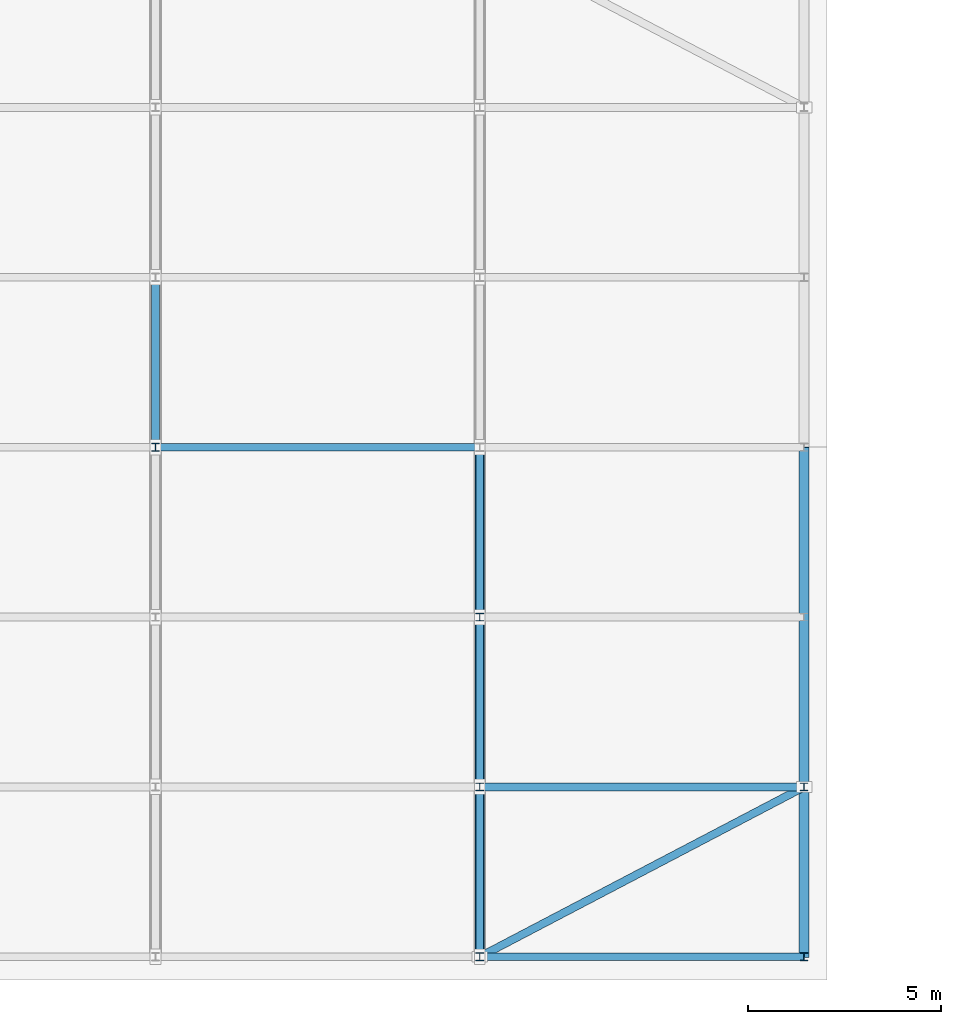
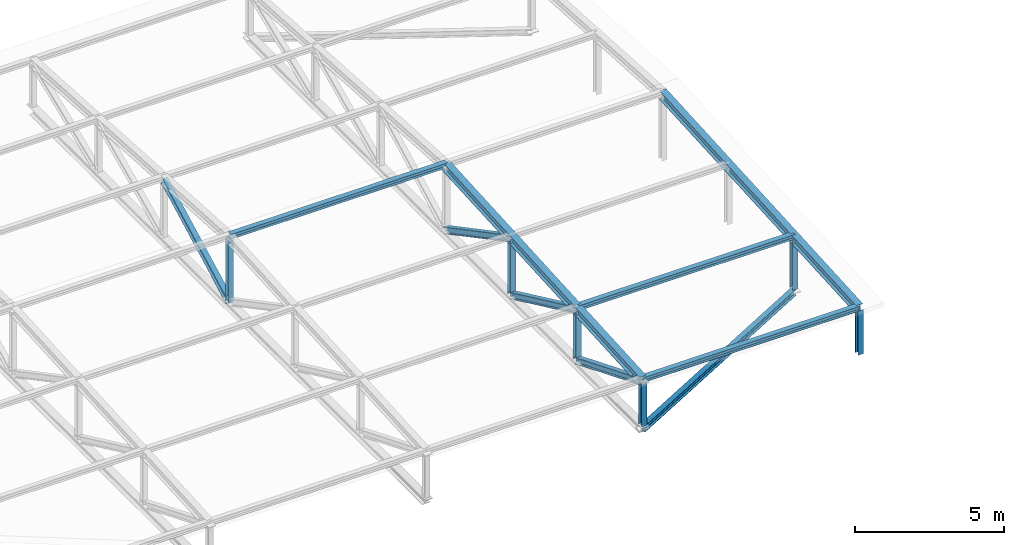
# One storey, part 16 of 49: 16 members.
"""IFC4 building model written with IfcOpenShell, lengths in metres."""

from ifc_helpers import new_model, si_unit, direction, frame, origin, origin_2d, place, context, subcontext, project, spatial, i_section, extrude, material, material_profile, profile_set, type_object, element, save


model = new_model("IFC4")

# Units and contexts
model_context = context("Model", 3, precision=1e-05, world=origin(), true_north=direction((0.0, 1.0)))
body_context = subcontext(model_context, "Body", "Model", "MODEL_VIEW")
ifc_project = project(units=[si_unit("LENGTHUNIT", "METRE"), si_unit("AREAUNIT", "SQUARE_METRE"), si_unit("VOLUMEUNIT", "CUBIC_METRE"), si_unit("PLANEANGLEUNIT", "RADIAN"), si_unit("MASSUNIT", "GRAM", prefix="KILO")], contexts=[model_context])

# Site, building, storey
site_placement = place(None, origin())
site = spatial("IfcSite", under=ifc_project, at=site_placement, CompositionType="ELEMENT")
building_placement = place(site_placement, origin())
building = spatial("IfcBuilding", under=site, at=building_placement, Name="Kemercrest Conservatory and Botanical Centre", CompositionType="ELEMENT")
storey_placement = place(building_placement, frame((0.0, 0.0, 13.199951171875)))
storey = spatial("IfcBuildingStorey", under=building, at=storey_placement, Name="L03", CompositionType="ELEMENT", Elevation=13.199951171875)

# Members
ifc_material = material(Name="Steel CSA G40.21 350W", Category="steel")
ifc_material_profile_1 = material_profile(ifc_material, i_section(OverallWidth=0.202880859375, OverallDepth=0.251953125, WebThickness=0.008056640625, FlangeThickness=0.013427734375, FilletRadius=0.010986328125, at=origin_2d()), Name="W250X58")
ifc_profile_set_1 = profile_set([ifc_material_profile_1], Name="Steel CSA G40.21 350W")
member_type_1 = type_object("IfcMemberType", Name="BR-LAT250", PredefinedType="BRACE", material=ifc_profile_set_1)
member_1_placement = place(storey_placement, frame((92.0, 16.800048828125, -0.14990234375), z_axis=(0.885833551011, 0.464003146437, 0.0), x_axis=(-0.464003146437, 0.885833551011, 0.0)))
element("IfcMember", 1, at=member_1_placement, inside=storey, type_object=member_type_1, Name="Roof diaphragm corner wind brace BR-LAT250", PredefinedType="BRACE", context=body_context, shape_type="SweptSolid", body=[
    extrude(i_section(OverallWidth=0.202880859375, OverallDepth=0.251953125, WebThickness=0.008056640625, FlangeThickness=0.013427734375, FilletRadius=0.010986328125, at=origin_2d()), origin(), (0.0, 0.0, 1.0), 9.482421875),
])
ifc_material_profile_2 = material_profile(ifc_material, i_section(OverallWidth=0.202880859375, OverallDepth=0.202880859375, WebThickness=0.007080078125, FlangeThickness=0.010986328125, FilletRadius=0.010009765625, at=origin_2d()), Name="W200X46")
ifc_profile_set_2 = profile_set([ifc_material_profile_2], Name="Steel CSA G40.21 350W")
member_type_2 = type_object("IfcMemberType", Name="PR-W200", PredefinedType="PURLIN", material=ifc_profile_set_2)
for number, where, z_axis, x_axis, name in (
    (2, (92.0, 16.800048828125, 1.880126953125), (1.0, 0.0, 0.0), (0.0, 1.0, 0.0), "Auditorium roof purlin P0"),
    (3, (92.0, 21.199951171875, 2.146728515625), (1.0, 0.0, 0.0), (0.0, 1.0, 0.0), "Auditorium roof purlin P1"),
    (4, (83.60009765625, 30.0, 2.679931640625), (1.0, 0.0, 0.0), (0.0, 1.0, 0.0), "Auditorium roof purlin P3"),
):
    element("IfcMember", number, at=place(storey_placement, frame(where, z_axis=z_axis, x_axis=x_axis)), inside=storey, type_object=member_type_2, Name=name, PredefinedType="PURLIN", context=body_context, shape_type="SweptSolid", body=[
        extrude(i_section(OverallWidth=0.202880859375, OverallDepth=0.202880859375, WebThickness=0.007080078125, FlangeThickness=0.010986328125, FilletRadius=0.010009765625, at=origin_2d()), origin(), (0.0, 0.0, 1.0), 8.39990234375),
    ])
ifc_material_profile_3 = material_profile(ifc_material, i_section(OverallWidth=0.257080078125, OverallDepth=0.363037109375, WebThickness=0.012939453125, FlangeThickness=0.021728515625, FilletRadius=0.01611328125, at=origin_2d()), Name="W360X122")
ifc_profile_set_3 = profile_set([ifc_material_profile_3], Name="Steel CSA G40.21 350W")
member_type_3 = type_object("IfcMemberType", Name="TR-TC360", PredefinedType="CHORD", material=ifc_profile_set_3)
for number, where, z_axis, x_axis, name in (
    (5, (92.0, 16.800048828125, 1.800048828125), (0.0, 0.998168260152, 0.060498962186), (-1.0, 0.0, 0.0), "Auditorium Roof Truss South Top Chord 11"),
    (6, (100.39990234375, 16.800048828125, 1.800048828125), (0.0, 0.998168260152, 0.060498962186), (-1.0, 0.0, 0.0), "Auditorium gable south rafter 12"),
):
    element("IfcMember", number, at=place(storey_placement, frame(where, z_axis=z_axis, x_axis=x_axis)), inside=storey, type_object=member_type_3, Name=name, PredefinedType="CHORD", context=body_context, shape_type="SweptSolid", body=[
        extrude(i_section(OverallWidth=0.257080078125, OverallDepth=0.363037109375, WebThickness=0.012939453125, FlangeThickness=0.021728515625, FilletRadius=0.01611328125, at=origin_2d()), origin(), (0.0, 0.0, 1.0), 13.22412109375),
    ])
ifc_material_profile_4 = material_profile(ifc_material, i_section(OverallWidth=0.202880859375, OverallDepth=0.202880859375, WebThickness=0.007080078125, FlangeThickness=0.010986328125, FilletRadius=0.010009765625, at=origin_2d()), Name="W200X46")
ifc_profile_set_4 = profile_set([ifc_material_profile_4], Name="Steel CSA G40.21 350W")
member_type_4 = type_object("IfcMemberType", Name="TR-VRT200", PredefinedType="BRACE", material=ifc_profile_set_4)
member_2_placement = place(storey_placement, frame((83.60009765625, 30.0, -0.014892578125), z_axis=(0.0, 0.0, 1.0), x_axis=(1.0, 0.0, 0.0)))
element("IfcMember", 7, at=member_2_placement, inside=storey, type_object=member_type_4, Name="Auditorium Roof Truss Vertical Strut 10-V3", PredefinedType="BRACE", context=body_context, shape_type="SweptSolid", body=[
    extrude(i_section(OverallWidth=0.202880859375, OverallDepth=0.202880859375, WebThickness=0.007080078125, FlangeThickness=0.010986328125, FilletRadius=0.010009765625, at=origin_2d()), origin(), (0.0, 0.0, 1.0), 2.614990234375),
])
member_3_placement = place(storey_placement, frame((92.0, 16.800048828125, -0.014892578125), z_axis=(0.0, 0.0, 1.0), x_axis=(1.0, 0.0, 0.0)))
element("IfcMember", 8, at=member_3_placement, inside=storey, type_object=member_type_4, Name="Auditorium Roof Truss Vertical Strut 11-V0", PredefinedType="BRACE", context=body_context, shape_type="SweptSolid", body=[
    extrude(i_section(OverallWidth=0.202880859375, OverallDepth=0.202880859375, WebThickness=0.007080078125, FlangeThickness=0.010986328125, FilletRadius=0.010009765625, at=origin_2d()), origin(), (0.0, 0.0, 1.0), 1.81494140625),
])
member_4_placement = place(storey_placement, frame((92.0, 21.199951171875, -0.014892578125), z_axis=(0.0, 0.0, 1.0), x_axis=(1.0, 0.0, 0.0)))
element("IfcMember", 9, at=member_4_placement, inside=storey, type_object=member_type_4, Name="Auditorium Roof Truss Vertical Strut 11-V1", PredefinedType="BRACE", context=body_context, shape_type="SweptSolid", body=[
    extrude(i_section(OverallWidth=0.202880859375, OverallDepth=0.202880859375, WebThickness=0.007080078125, FlangeThickness=0.010986328125, FilletRadius=0.010009765625, at=origin_2d()), origin(), (0.0, 0.0, 1.0), 2.08154296875),
])
member_5_placement = place(storey_placement, frame((92.0, 25.60009765625, -0.014892578125), z_axis=(0.0, 0.0, 1.0), x_axis=(1.0, 0.0, 0.0)))
element("IfcMember", 10, at=member_5_placement, inside=storey, type_object=member_type_4, Name="Auditorium Roof Truss Vertical Strut 11-V2", PredefinedType="BRACE", context=body_context, shape_type="SweptSolid", body=[
    extrude(i_section(OverallWidth=0.202880859375, OverallDepth=0.202880859375, WebThickness=0.007080078125, FlangeThickness=0.010986328125, FilletRadius=0.010009765625, at=origin_2d()), origin(), (0.0, 0.0, 1.0), 2.34814453125),
])
member_6_placement = place(storey_placement, frame((100.39990234375, 16.800048828125, -0.014892578125), z_axis=(0.0, 0.0, 1.0), x_axis=(1.0, 0.0, 0.0)))
element("IfcMember", 11, at=member_6_placement, inside=storey, type_object=member_type_4, Name="Auditorium Gable Post Strut 12-V0", PredefinedType="BRACE", context=body_context, shape_type="SweptSolid", body=[
    extrude(i_section(OverallWidth=0.202880859375, OverallDepth=0.202880859375, WebThickness=0.007080078125, FlangeThickness=0.010986328125, FilletRadius=0.010009765625, at=origin_2d()), origin(), (0.0, 0.0, 1.0), 1.81494140625),
])
member_7_placement = place(storey_placement, frame((100.39990234375, 21.199951171875, -0.014892578125), z_axis=(0.0, 0.0, 1.0), x_axis=(1.0, 0.0, 0.0)))
element("IfcMember", 12, at=member_7_placement, inside=storey, type_object=member_type_4, Name="Auditorium Gable Post Strut 12-V1", PredefinedType="BRACE", context=body_context, shape_type="SweptSolid", body=[
    extrude(i_section(OverallWidth=0.202880859375, OverallDepth=0.202880859375, WebThickness=0.007080078125, FlangeThickness=0.010986328125, FilletRadius=0.010009765625, at=origin_2d()), origin(), (0.0, 0.0, 1.0), 2.08154296875),
])
ifc_material_profile_5 = material_profile(ifc_material, i_section(OverallWidth=0.202880859375, OverallDepth=0.251953125, WebThickness=0.008056640625, FlangeThickness=0.013427734375, FilletRadius=0.010986328125, at=origin_2d()), Name="W250X58")
ifc_profile_set_5 = profile_set([ifc_material_profile_5], Name="Steel CSA G40.21 350W")
member_type_5 = type_object("IfcMemberType", Name="TR-WEB250", PredefinedType="BRACE", material=ifc_profile_set_5)
member_8_placement = place(storey_placement, frame((83.60009765625, 30.0, -0.014892578125), z_axis=(0.0, 0.883890492112, 0.467693914814), x_axis=(-1.0, 0.0, 0.0)))
element("IfcMember", 13, at=member_8_placement, inside=storey, type_object=member_type_5, Name="Auditorium Roof Truss Web Diagonal 10-D3", PredefinedType="BRACE", context=body_context, shape_type="SweptSolid", body=[
    extrude(i_section(OverallWidth=0.202880859375, OverallDepth=0.251953125, WebThickness=0.008056640625, FlangeThickness=0.013427734375, FilletRadius=0.010986328125, at=origin_2d()), origin(), (0.0, 0.0, 1.0), 4.977783203125),
])
member_9_placement = place(storey_placement, frame((92.0, 16.800048828125, 1.780029296875), z_axis=(0.0, 0.925918062478, -0.377724425443), x_axis=(-1.0, 0.0, 0.0)))
element("IfcMember", 14, at=member_9_placement, inside=storey, type_object=member_type_5, Name="Auditorium Roof Truss Web Diagonal 11-D0", PredefinedType="BRACE", context=body_context, shape_type="SweptSolid", body=[
    extrude(i_section(OverallWidth=0.202880859375, OverallDepth=0.251953125, WebThickness=0.008056640625, FlangeThickness=0.013427734375, FilletRadius=0.010986328125, at=origin_2d()), origin(), (0.0, 0.0, 1.0), 4.751953125),
])
member_10_placement = place(storey_placement, frame((92.0, 21.199951171875, 2.046630859375), z_axis=(0.0, 0.905541585504, -0.424257512512), x_axis=(-1.0, 0.0, 0.0)))
element("IfcMember", 15, at=member_10_placement, inside=storey, type_object=member_type_5, Name="Auditorium Roof Truss Web Diagonal 11-D1", PredefinedType="BRACE", context=body_context, shape_type="SweptSolid", body=[
    extrude(i_section(OverallWidth=0.202880859375, OverallDepth=0.251953125, WebThickness=0.008056640625, FlangeThickness=0.013427734375, FilletRadius=0.010986328125, at=origin_2d()), origin(), (0.0, 0.0, 1.0), 4.859130859375),
])
member_11_placement = place(storey_placement, frame((92.0, 25.60009765625, 2.313232421875), z_axis=(0.0, 0.883890492112, -0.467693914814), x_axis=(-1.0, 0.0, 0.0)))
element("IfcMember", 16, at=member_11_placement, inside=storey, type_object=member_type_5, Name="Auditorium Roof Truss Web Diagonal 11-D2", PredefinedType="BRACE", context=body_context, shape_type="SweptSolid", body=[
    extrude(i_section(OverallWidth=0.202880859375, OverallDepth=0.251953125, WebThickness=0.008056640625, FlangeThickness=0.013427734375, FilletRadius=0.010986328125, at=origin_2d()), origin(), (0.0, 0.0, 1.0), 4.977783203125),
])

save(model, "model.ifc")
